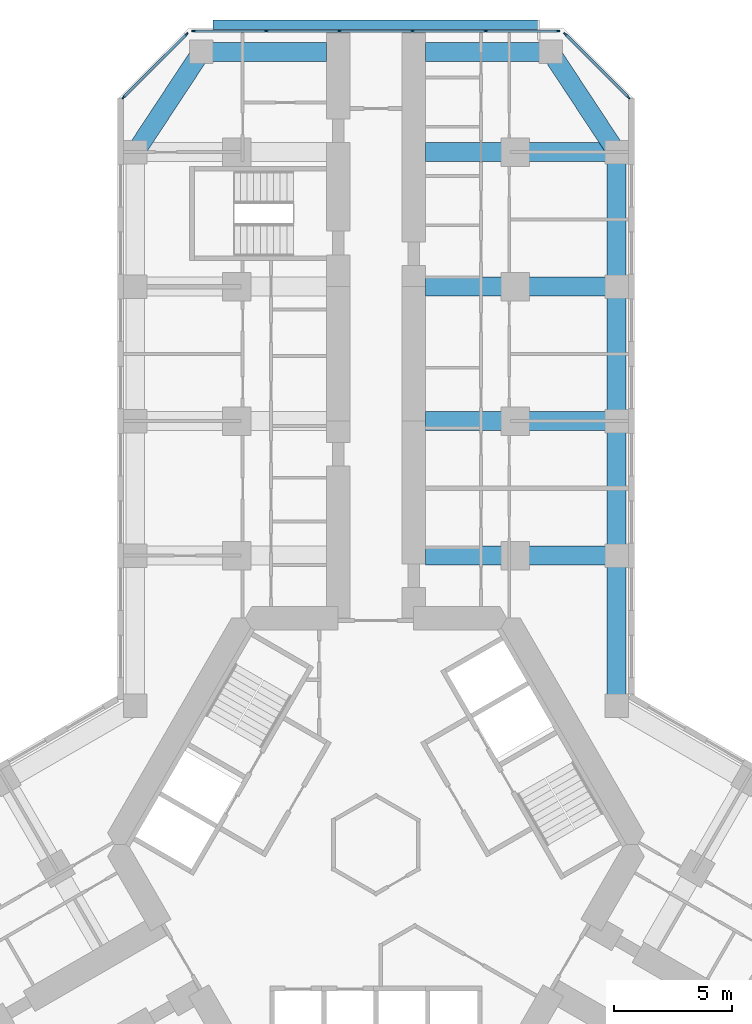
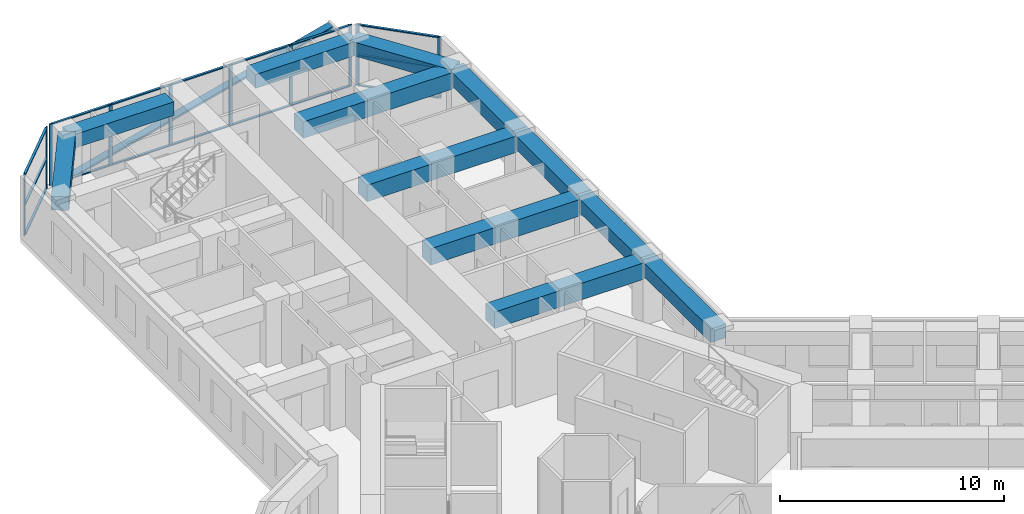
# One storey, part 7 of 21: 27 members, 12 beams, 3 elements without a shape of their own.
"""IFC4 building model written with IfcOpenShell, lengths in metres."""

from ifc_helpers import new_model, si_unit, direction, frame, origin, origin_2d, place, context, subcontext, project, spatial, rectangle, extrude, material, material_profile, profile_set, type_object, element, aggregate, save


model = new_model("IFC4")

# Units and contexts
model_context = context("Model", 3, precision=1e-05, world=origin(), true_north=direction((0.0, 1.0)))
body_context = subcontext(model_context, "Body", "Model", "MODEL_VIEW")
ifc_project = project(units=[si_unit("LENGTHUNIT", "METRE"), si_unit("AREAUNIT", "SQUARE_METRE"), si_unit("VOLUMEUNIT", "CUBIC_METRE"), si_unit("PLANEANGLEUNIT", "RADIAN"), si_unit("MASSUNIT", "GRAM", prefix="KILO")], contexts=[model_context])

# Site, building, storey
site_placement = place(None, origin())
site = spatial("IfcSite", under=ifc_project, at=site_placement, CompositionType="ELEMENT")
building_placement = place(site_placement, origin())
building = spatial("IfcBuilding", under=site, at=building_placement, Name="Kosmar Iwan School Tower", CompositionType="ELEMENT")
storey_placement = place(building_placement, frame((0.0, 0.0, 64.60009765625)))
storey = spatial("IfcBuildingStorey", under=building, at=storey_placement, Name="L15", CompositionType="ELEMENT", Elevation=64.60009765625)

# Member
ifc_material_1 = material(Name="Black anodised aluminium", Category="aluminium")
ifc_material_profile_1 = material_profile(ifc_material_1, rectangle(XDim=0.10009765625, YDim=0.39990234375, at=origin_2d()), Name="FIN 100x400")
ifc_profile_set_1 = profile_set([ifc_material_profile_1], Name="Black anodised aluminium")
member_type_1 = type_object("IfcMemberType", Name="Diagonal fin 100x400", PredefinedType="USERDEFINED", material=ifc_profile_set_1)
member_1_placement = place(storey_placement, frame((-6.898193359375, 34.75, -0.150146484375), z_axis=(0.967599450335, 0.0, 0.252490205179), x_axis=(-0.252490205179, 0.0, 0.967599450335)))
element("IfcMember", 1, at=member_1_placement, inside=storey, type_object=member_type_1, Name="Diagonal fin L15-F08", ObjectType="FIN", PredefinedType="USERDEFINED", context=body_context, shape_type="SweptSolid", body=[
    extrude(rectangle(XDim=0.10009765625, YDim=0.39990234375, at=origin_2d()), origin(), (0.0, 0.0, 1.0), 14.25830078125),
])

# Curtain wall, members
ifc_material_2 = material(Name="Dark glass in black aluminium frame", Category="aluminium")
curtain_wall_type_1 = type_object("IfcCurtainWallType", Name="Chamfer curtain wall dark glass", PredefinedType="USERDEFINED", material=ifc_material_2)
curtain_wall_1_placement = place(storey_placement, origin())
curtain_wall_1 = element("IfcCurtainWall", 2, at=curtain_wall_1_placement, inside=storey, type_object=curtain_wall_type_1, Name="Curtain wall L15-F07", ObjectType="FACETED CURTAIN WALL", PredefinedType="USERDEFINED")
ifc_material_3 = material(Name="Black anodised aluminium", Category="aluminium")
ifc_material_profile_2 = material_profile(ifc_material_3, rectangle(XDim=0.06005859375, YDim=0.159912109375, at=origin_2d()), Name="MULLION 60x160")
ifc_profile_set_2 = profile_set([ifc_material_profile_2], Name="Black anodised aluminium")
member_type_2 = type_object("IfcMemberType", Name="Mullion 60x160", PredefinedType="MULLION", material=ifc_profile_set_2)
member_2_placement = place(storey_placement, frame((10.69775390625, 31.675537109375, 0.0), z_axis=(0.0, 0.0, 1.0), x_axis=(-0.707106781187, -0.707106781187, 0.0)))
member_2 = element("IfcMember", 3, at=member_2_placement, type_object=member_type_2, Name="CW2 mullion 1", PredefinedType="MULLION", context=body_context, shape_type="SweptSolid", body=[
    extrude(rectangle(XDim=0.06005859375, YDim=0.159912109375, at=origin_2d()), origin(), (0.0, 0.0, 1.0), 3.349853515625),
])
member_3_placement = place(storey_placement, frame((8.025390625, 34.34765625, 0.0), z_axis=(0.0, 0.0, 1.0), x_axis=(-0.707106781187, -0.707106781187, 0.0)))
member_3 = element("IfcMember", 4, at=member_3_placement, type_object=member_type_2, Name="CW2 mullion 2", PredefinedType="MULLION", context=body_context, shape_type="SweptSolid", body=[
    extrude(rectangle(XDim=0.06005859375, YDim=0.159912109375, at=origin_2d()), origin(), (0.0, 0.0, 1.0), 3.349853515625),
])

ifc_material_4 = material(Name="Dark glass in black aluminium frame", Category="aluminium")
curtain_wall_type_2 = type_object("IfcCurtainWallType", Name="Tower curtain wall dark glass", PredefinedType="USERDEFINED", material=ifc_material_4)
curtain_wall_2_placement = place(storey_placement, origin())
curtain_wall_2 = element("IfcCurtainWall", 5, at=curtain_wall_2_placement, inside=storey, type_object=curtain_wall_type_2, Name="Curtain wall L15-F08", ObjectType="UNITISED CURTAIN WALL", PredefinedType="USERDEFINED")
member_4_placement = place(storey_placement, frame((7.71826171875, 34.47509765625, 0.0), z_axis=(0.0, 0.0, 1.0), x_axis=(0.0, -1.0, 0.0)))
member_4 = element("IfcMember", 6, at=member_4_placement, type_object=member_type_2, Name="CW1 mullion 1", PredefinedType="MULLION", context=body_context, shape_type="SweptSolid", body=[
    extrude(rectangle(XDim=0.06005859375, YDim=0.159912109375, at=origin_2d()), origin(), (0.0, 0.0, 1.0), 3.349853515625),
])
member_5_placement = place(storey_placement, frame((4.64892578125, 34.47509765625, 0.0), z_axis=(0.0, 0.0, 1.0), x_axis=(0.0, -1.0, 0.0)))
member_5 = element("IfcMember", 7, at=member_5_placement, type_object=member_type_2, Name="CW1 mullion 2", PredefinedType="MULLION", context=body_context, shape_type="SweptSolid", body=[
    extrude(rectangle(XDim=0.06005859375, YDim=0.159912109375, at=origin_2d()), origin(), (0.0, 0.0, 1.0), 3.349853515625),
])
member_6_placement = place(storey_placement, frame((1.549560546875, 34.47509765625, 0.0), z_axis=(0.0, 0.0, 1.0), x_axis=(0.0, -1.0, 0.0)))
member_6 = element("IfcMember", 8, at=member_6_placement, type_object=member_type_2, Name="CW1 mullion 3", PredefinedType="MULLION", context=body_context, shape_type="SweptSolid", body=[
    extrude(rectangle(XDim=0.06005859375, YDim=0.159912109375, at=origin_2d()), origin(), (0.0, 0.0, 1.0), 3.349853515625),
])
member_7_placement = place(storey_placement, frame((-1.549560546875, 34.47509765625, 0.0), z_axis=(0.0, 0.0, 1.0), x_axis=(0.0, -1.0, 0.0)))
member_7 = element("IfcMember", 9, at=member_7_placement, type_object=member_type_2, Name="CW1 mullion 4", PredefinedType="MULLION", context=body_context, shape_type="SweptSolid", body=[
    extrude(rectangle(XDim=0.06005859375, YDim=0.159912109375, at=origin_2d()), origin(), (0.0, 0.0, 1.0), 3.349853515625),
])
member_8_placement = place(storey_placement, frame((-4.64892578125, 34.47509765625, 0.0), z_axis=(0.0, 0.0, 1.0), x_axis=(0.0, -1.0, 0.0)))
member_8 = element("IfcMember", 10, at=member_8_placement, type_object=member_type_2, Name="CW1 mullion 5", PredefinedType="MULLION", context=body_context, shape_type="SweptSolid", body=[
    extrude(rectangle(XDim=0.06005859375, YDim=0.159912109375, at=origin_2d()), origin(), (0.0, 0.0, 1.0), 3.349853515625),
])
member_9_placement = place(storey_placement, frame((-7.71826171875, 34.47509765625, 0.0), z_axis=(0.0, 0.0, 1.0), x_axis=(0.0, -1.0, 0.0)))
member_9 = element("IfcMember", 11, at=member_9_placement, type_object=member_type_2, Name="CW1 mullion 6", PredefinedType="MULLION", context=body_context, shape_type="SweptSolid", body=[
    extrude(rectangle(XDim=0.06005859375, YDim=0.159912109375, at=origin_2d()), origin(), (0.0, 0.0, 1.0), 3.349853515625),
])

curtain_wall_3_placement = place(storey_placement, origin())
curtain_wall_3 = element("IfcCurtainWall", 12, at=curtain_wall_3_placement, inside=storey, type_object=curtain_wall_type_1, Name="Curtain wall L15-F09", ObjectType="FACETED CURTAIN WALL", PredefinedType="USERDEFINED")
member_10_placement = place(storey_placement, frame((-8.025390625, 34.34765625, 0.0), z_axis=(0.0, 0.0, 1.0), x_axis=(0.707106781187, -0.707106781187, 0.0)))
member_10 = element("IfcMember", 13, at=member_10_placement, type_object=member_type_2, Name="CW2 mullion 1", PredefinedType="MULLION", context=body_context, shape_type="SweptSolid", body=[
    extrude(rectangle(XDim=0.06005859375, YDim=0.159912109375, at=origin_2d()), origin(), (0.0, 0.0, 1.0), 3.349853515625),
])
member_11_placement = place(storey_placement, frame((-10.69775390625, 31.675537109375, 0.0), z_axis=(0.0, 0.0, 1.0), x_axis=(0.707106781187, -0.707106781187, 0.0)))
member_11 = element("IfcMember", 14, at=member_11_placement, type_object=member_type_2, Name="CW2 mullion 2", PredefinedType="MULLION", context=body_context, shape_type="SweptSolid", body=[
    extrude(rectangle(XDim=0.06005859375, YDim=0.159912109375, at=origin_2d()), origin(), (0.0, 0.0, 1.0), 3.349853515625),
])

# Beams
ifc_material_5 = material(Name="Concrete C50/60", Category="concrete")
ifc_material_profile_3 = material_profile(ifc_material_5, rectangle(XDim=0.800048828125, YDim=0.75, at=origin_2d()), Name="RC 800x750")
ifc_profile_set_3 = profile_set([ifc_material_profile_3], Name="Concrete C50/60")
beam_type_1 = type_object("IfcBeamType", Name="RC edge beam 800x750", PredefinedType="BEAM", material=ifc_profile_set_3)
beam_1_placement = place(storey_placement, frame((10.199951171875, 5.888916015625, 2.974853515625), z_axis=(0.0, 1.0, 0.0), x_axis=(-1.0, 0.0, 0.0)))
element("IfcBeam", 15, at=beam_1_placement, inside=storey, type_object=beam_type_1, Name="Edge beam AR1", PredefinedType="BEAM", context=body_context, shape_type="SweptSolid", body=[
    extrude(rectangle(XDim=0.800048828125, YDim=0.75, at=origin_2d()), origin(), (0.0, 0.0, 1.0), 6.361083984375),
])
for number, where, z_axis, x_axis, name in (
    (16, (10.199951171875, 12.25, 2.974853515625), (0.0, 1.0, 0.0), (-1.0, 0.0, 0.0), "Edge beam AR2"),
    (17, (10.199951171875, 17.949951171875, 2.974853515625), (0.0, 1.0, 0.0), (-1.0, 0.0, 0.0), "Edge beam AR3"),
):
    element("IfcBeam", number, at=place(storey_placement, frame(where, z_axis=z_axis, x_axis=x_axis)), inside=storey, type_object=beam_type_1, Name=name, PredefinedType="BEAM", context=body_context, shape_type="SweptSolid", body=[
        extrude(rectangle(XDim=0.800048828125, YDim=0.75, at=origin_2d()), origin(), (0.0, 0.0, 1.0), 5.699951171875),
    ])
beam_2_placement = place(storey_placement, frame((10.199951171875, 23.64990234375, 2.974853515625), z_axis=(0.0, 1.0, 0.0), x_axis=(-1.0, 0.0, 0.0)))
element("IfcBeam", 18, at=beam_2_placement, inside=storey, type_object=beam_type_1, Name="Edge beam AR4", PredefinedType="BEAM", context=body_context, shape_type="SweptSolid", body=[
    extrude(rectangle(XDim=0.800048828125, YDim=0.75, at=origin_2d()), origin(), (0.0, 0.0, 1.0), 5.7001953125),
])
ifc_material_6 = material(Name="Concrete C50/60", Category="concrete")
ifc_material_profile_4 = material_profile(ifc_material_6, rectangle(XDim=0.800048828125, YDim=0.75, at=origin_2d()), Name="RC 800x750")
ifc_profile_set_4 = profile_set([ifc_material_profile_4], Name="Concrete C50/60")
beam_type_2 = type_object("IfcBeamType", Name="RC tip beam 800x750", PredefinedType="BEAM", material=ifc_profile_set_4)
beam_3_placement = place(storey_placement, frame((-10.199951171875, 29.35009765625, 2.974853515625), z_axis=(0.550164383043, 0.835056376319, 0.0), x_axis=(-0.835056376319, 0.550164383043, 0.0)))
element("IfcBeam", 19, at=beam_3_placement, inside=storey, type_object=beam_type_2, Name="Tip beam AL", PredefinedType="BEAM", context=body_context, shape_type="SweptSolid", body=[
    extrude(rectangle(XDim=0.800048828125, YDim=0.75, at=origin_2d()), origin(), (0.0, 0.0, 1.0), 5.08935546875),
])
beam_4_placement = place(storey_placement, frame((-7.39990234375, 33.60009765625, 2.974853515625), z_axis=(1.0, 0.0, 0.0), x_axis=(0.0, 1.0, 0.0)))
element("IfcBeam", 20, at=beam_4_placement, inside=storey, type_object=beam_type_2, Name="Tip beam AL to corridor wall", PredefinedType="BEAM", context=body_context, shape_type="SweptSolid", body=[
    extrude(rectangle(XDim=0.800048828125, YDim=0.75, at=origin_2d()), origin(), (0.0, 0.0, 1.0), 5.2998046875),
])
beam_5_placement = place(storey_placement, frame((10.199951171875, 29.35009765625, 2.974853515625), z_axis=(-0.550164383043, 0.835056376319, 0.0), x_axis=(-0.835056376319, -0.550164383043, 0.0)))
element("IfcBeam", 21, at=beam_5_placement, inside=storey, type_object=beam_type_2, Name="Tip beam AR", PredefinedType="BEAM", context=body_context, shape_type="SweptSolid", body=[
    extrude(rectangle(XDim=0.800048828125, YDim=0.75, at=origin_2d()), origin(), (0.0, 0.0, 1.0), 5.08935546875),
])
beam_6_placement = place(storey_placement, frame((7.39990234375, 33.60009765625, 2.974853515625), z_axis=(-1.0, 0.0, 0.0), x_axis=(0.0, -1.0, 0.0)))
element("IfcBeam", 22, at=beam_6_placement, inside=storey, type_object=beam_type_2, Name="Tip beam AR to corridor wall", PredefinedType="BEAM", context=body_context, shape_type="SweptSolid", body=[
    extrude(rectangle(XDim=0.800048828125, YDim=0.75, at=origin_2d()), origin(), (0.0, 0.0, 1.0), 5.2998046875),
])
ifc_material_7 = material(Name="Concrete C50/60", Category="concrete")
ifc_material_profile_5 = material_profile(ifc_material_7, rectangle(XDim=0.800048828125, YDim=0.89990234375, at=origin_2d()), Name="RC 800x900")
ifc_profile_set_5 = profile_set([ifc_material_profile_5], Name="Concrete C50/60")
beam_type_3 = type_object("IfcBeamType", Name="RC transverse beam 800x900", PredefinedType="BEAM", material=ifc_profile_set_5)
for number, where, z_axis, x_axis, name in (
    (23, (10.199951171875, 12.25, 2.89990234375), (-1.0, 0.0, 0.0), (0.0, -1.0, 0.0), "Transverse beam AR1"),
    (24, (10.199951171875, 17.949951171875, 2.89990234375), (-1.0, 0.0, 0.0), (0.0, -1.0, 0.0), "Transverse beam AR2"),
    (25, (10.199951171875, 23.64990234375, 2.89990234375), (-1.0, 0.0, 0.0), (0.0, -1.0, 0.0), "Transverse beam AR3"),
    (26, (10.199951171875, 29.35009765625, 2.89990234375), (-1.0, 0.0, 0.0), (0.0, -1.0, 0.0), "Transverse beam AR4"),
):
    element("IfcBeam", number, at=place(storey_placement, frame(where, z_axis=z_axis, x_axis=x_axis)), inside=storey, type_object=beam_type_3, Name=name, PredefinedType="BEAM", context=body_context, shape_type="SweptSolid", body=[
        extrude(rectangle(XDim=0.800048828125, YDim=0.89990234375, at=origin_2d()), origin(), (0.0, 0.0, 1.0), 8.099853515625),
    ])

# Member
ifc_material_8 = material(Name="Black anodised aluminium", Category="aluminium")
ifc_material_profile_6 = material_profile(ifc_material_8, rectangle(XDim=0.1201171875, YDim=0.06005859375, at=origin_2d()), Name="TRANSOM 60x120")
ifc_profile_set_6 = profile_set([ifc_material_profile_6], Name="Black anodised aluminium")
member_type_3 = type_object("IfcMemberType", Name="Transom 60x120", PredefinedType="USERDEFINED", material=ifc_profile_set_6)
member_12_placement = place(storey_placement, frame((10.676513671875, 31.69677734375, 0.02978515625), z_axis=(-0.707139603466, 0.707073957383, 0.0), x_axis=(-0.707073957383, -0.707139603466, 0.0)))
member_12 = element("IfcMember", 27, at=member_12_placement, type_object=member_type_3, Name="CW2 transom 1.1", ObjectType="TRANSOM", PredefinedType="USERDEFINED", context=body_context, shape_type="SweptSolid", body=[
    extrude(rectangle(XDim=0.1201171875, YDim=0.06005859375, at=origin_2d()), origin(), (0.0, 0.0, 1.0), 3.718994140625),
])

member_13_placement = place(storey_placement, frame((10.676513671875, 31.69677734375, 1.6748046875), z_axis=(-0.707139603466, 0.707073957383, 0.0), x_axis=(-0.707073957383, -0.707139603466, 0.0)))
member_13 = element("IfcMember", 28, at=member_13_placement, type_object=member_type_3, Name="CW2 transom 1.2", ObjectType="TRANSOM", PredefinedType="USERDEFINED", context=body_context, shape_type="SweptSolid", body=[
    extrude(rectangle(XDim=0.1201171875, YDim=0.06005859375, at=origin_2d()), origin(), (0.0, 0.0, 1.0), 3.718994140625),
])

member_14_placement = place(storey_placement, frame((10.676513671875, 31.69677734375, 3.31982421875), z_axis=(-0.707139603466, 0.707073957383, 0.0), x_axis=(-0.707073957383, -0.707139603466, 0.0)))
member_14 = element("IfcMember", 29, at=member_14_placement, type_object=member_type_3, Name="CW2 transom 1.3", ObjectType="TRANSOM", PredefinedType="USERDEFINED", context=body_context, shape_type="SweptSolid", body=[
    extrude(rectangle(XDim=0.1201171875, YDim=0.06005859375, at=origin_2d()), origin(), (0.0, 0.0, 1.0), 3.718994140625),
])

aggregate(curtain_wall_1, [member_2, member_3, member_12, member_13, member_14])

member_15_placement = place(storey_placement, frame((7.688232421875, 34.47509765625, 0.02978515625), z_axis=(-1.0, 0.0, 0.0), x_axis=(0.0, -1.0, 0.0)))
member_15 = element("IfcMember", 30, at=member_15_placement, type_object=member_type_3, Name="CW1 transom 1.1", ObjectType="TRANSOM", PredefinedType="USERDEFINED", context=body_context, shape_type="SweptSolid", body=[
    extrude(rectangle(XDim=0.1201171875, YDim=0.06005859375, at=origin_2d()), origin(), (0.0, 0.0, 1.0), 3.00927734375),
])

member_16_placement = place(storey_placement, frame((7.688232421875, 34.47509765625, 3.31982421875), z_axis=(-1.0, 0.0, 0.0), x_axis=(0.0, -1.0, 0.0)))
member_16 = element("IfcMember", 31, at=member_16_placement, type_object=member_type_3, Name="CW1 transom 1.2", ObjectType="TRANSOM", PredefinedType="USERDEFINED", context=body_context, shape_type="SweptSolid", body=[
    extrude(rectangle(XDim=0.1201171875, YDim=0.06005859375, at=origin_2d()), origin(), (0.0, 0.0, 1.0), 3.00927734375),
])

member_17_placement = place(storey_placement, frame((4.618896484375, 34.47509765625, 0.02978515625), z_axis=(-1.0, 0.0, 0.0), x_axis=(0.0, -1.0, 0.0)))
member_17 = element("IfcMember", 32, at=member_17_placement, type_object=member_type_3, Name="CW1 transom 2.1", ObjectType="TRANSOM", PredefinedType="USERDEFINED", context=body_context, shape_type="SweptSolid", body=[
    extrude(rectangle(XDim=0.1201171875, YDim=0.06005859375, at=origin_2d()), origin(), (0.0, 0.0, 1.0), 3.039306640625),
])

member_18_placement = place(storey_placement, frame((4.618896484375, 34.47509765625, 3.31982421875), z_axis=(-1.0, 0.0, 0.0), x_axis=(0.0, -1.0, 0.0)))
member_18 = element("IfcMember", 33, at=member_18_placement, type_object=member_type_3, Name="CW1 transom 2.2", ObjectType="TRANSOM", PredefinedType="USERDEFINED", context=body_context, shape_type="SweptSolid", body=[
    extrude(rectangle(XDim=0.1201171875, YDim=0.06005859375, at=origin_2d()), origin(), (0.0, 0.0, 1.0), 3.039306640625),
])

member_19_placement = place(storey_placement, frame((1.51953125, 34.47509765625, 0.02978515625), z_axis=(-1.0, 0.0, 0.0), x_axis=(0.0, -1.0, 0.0)))
member_19 = element("IfcMember", 34, at=member_19_placement, type_object=member_type_3, Name="CW1 transom 3.1", ObjectType="TRANSOM", PredefinedType="USERDEFINED", context=body_context, shape_type="SweptSolid", body=[
    extrude(rectangle(XDim=0.1201171875, YDim=0.06005859375, at=origin_2d()), origin(), (0.0, 0.0, 1.0), 3.0390625),
])

member_20_placement = place(storey_placement, frame((1.51953125, 34.47509765625, 3.31982421875), z_axis=(-1.0, 0.0, 0.0), x_axis=(0.0, -1.0, 0.0)))
member_20 = element("IfcMember", 35, at=member_20_placement, type_object=member_type_3, Name="CW1 transom 3.2", ObjectType="TRANSOM", PredefinedType="USERDEFINED", context=body_context, shape_type="SweptSolid", body=[
    extrude(rectangle(XDim=0.1201171875, YDim=0.06005859375, at=origin_2d()), origin(), (0.0, 0.0, 1.0), 3.0390625),
])

member_21_placement = place(storey_placement, frame((-1.57958984375, 34.47509765625, 0.02978515625), z_axis=(-1.0, 0.0, 0.0), x_axis=(0.0, -1.0, 0.0)))
member_21 = element("IfcMember", 36, at=member_21_placement, type_object=member_type_3, Name="CW1 transom 4.1", ObjectType="TRANSOM", PredefinedType="USERDEFINED", context=body_context, shape_type="SweptSolid", body=[
    extrude(rectangle(XDim=0.1201171875, YDim=0.06005859375, at=origin_2d()), origin(), (0.0, 0.0, 1.0), 3.039306640625),
])

member_22_placement = place(storey_placement, frame((-1.57958984375, 34.47509765625, 3.31982421875), z_axis=(-1.0, 0.0, 0.0), x_axis=(0.0, -1.0, 0.0)))
member_22 = element("IfcMember", 37, at=member_22_placement, type_object=member_type_3, Name="CW1 transom 4.2", ObjectType="TRANSOM", PredefinedType="USERDEFINED", context=body_context, shape_type="SweptSolid", body=[
    extrude(rectangle(XDim=0.1201171875, YDim=0.06005859375, at=origin_2d()), origin(), (0.0, 0.0, 1.0), 3.039306640625),
])

member_23_placement = place(storey_placement, frame((-4.678955078125, 34.47509765625, 0.02978515625), z_axis=(-1.0, 0.0, 0.0), x_axis=(0.0, -1.0, 0.0)))
member_23 = element("IfcMember", 38, at=member_23_placement, type_object=member_type_3, Name="CW1 transom 5.1", ObjectType="TRANSOM", PredefinedType="USERDEFINED", context=body_context, shape_type="SweptSolid", body=[
    extrude(rectangle(XDim=0.1201171875, YDim=0.06005859375, at=origin_2d()), origin(), (0.0, 0.0, 1.0), 3.00927734375),
])

member_24_placement = place(storey_placement, frame((-4.678955078125, 34.47509765625, 3.31982421875), z_axis=(-1.0, 0.0, 0.0), x_axis=(0.0, -1.0, 0.0)))
member_24 = element("IfcMember", 39, at=member_24_placement, type_object=member_type_3, Name="CW1 transom 5.2", ObjectType="TRANSOM", PredefinedType="USERDEFINED", context=body_context, shape_type="SweptSolid", body=[
    extrude(rectangle(XDim=0.1201171875, YDim=0.06005859375, at=origin_2d()), origin(), (0.0, 0.0, 1.0), 3.00927734375),
])

aggregate(curtain_wall_2, [member_4, member_5, member_6, member_7, member_8, member_9, member_15, member_16, member_17, member_18, member_19, member_20, member_21, member_22, member_23, member_24])

member_25_placement = place(storey_placement, frame((-8.046630859375, 34.326416015625, 0.02978515625), z_axis=(-0.707139603466, -0.707073957383, 0.0), x_axis=(0.707073957383, -0.707139603466, 0.0)))
member_25 = element("IfcMember", 40, at=member_25_placement, type_object=member_type_3, Name="CW2 transom 1.1", ObjectType="TRANSOM", PredefinedType="USERDEFINED", context=body_context, shape_type="SweptSolid", body=[
    extrude(rectangle(XDim=0.1201171875, YDim=0.06005859375, at=origin_2d()), origin(), (0.0, 0.0, 1.0), 3.718994140625),
])

member_26_placement = place(storey_placement, frame((-8.046630859375, 34.326416015625, 1.6748046875), z_axis=(-0.707139603466, -0.707073957383, 0.0), x_axis=(0.707073957383, -0.707139603466, 0.0)))
member_26 = element("IfcMember", 41, at=member_26_placement, type_object=member_type_3, Name="CW2 transom 1.2", ObjectType="TRANSOM", PredefinedType="USERDEFINED", context=body_context, shape_type="SweptSolid", body=[
    extrude(rectangle(XDim=0.1201171875, YDim=0.06005859375, at=origin_2d()), origin(), (0.0, 0.0, 1.0), 3.718994140625),
])

member_27_placement = place(storey_placement, frame((-8.046630859375, 34.326416015625, 3.31982421875), z_axis=(-0.707139603466, -0.707073957383, 0.0), x_axis=(0.707073957383, -0.707139603466, 0.0)))
member_27 = element("IfcMember", 42, at=member_27_placement, type_object=member_type_3, Name="CW2 transom 1.3", ObjectType="TRANSOM", PredefinedType="USERDEFINED", context=body_context, shape_type="SweptSolid", body=[
    extrude(rectangle(XDim=0.1201171875, YDim=0.06005859375, at=origin_2d()), origin(), (0.0, 0.0, 1.0), 3.718994140625),
])

aggregate(curtain_wall_3, [member_10, member_11, member_25, member_26, member_27])

save(model, "model.ifc")
